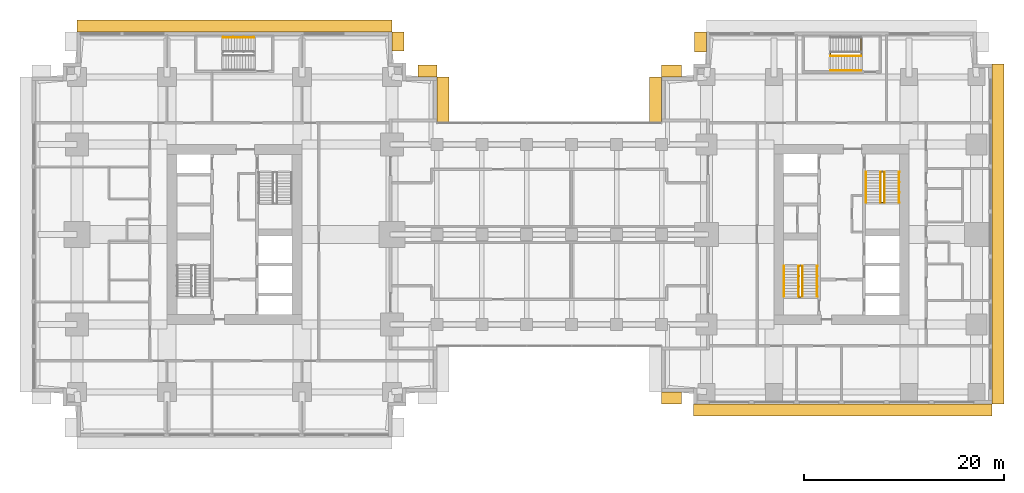
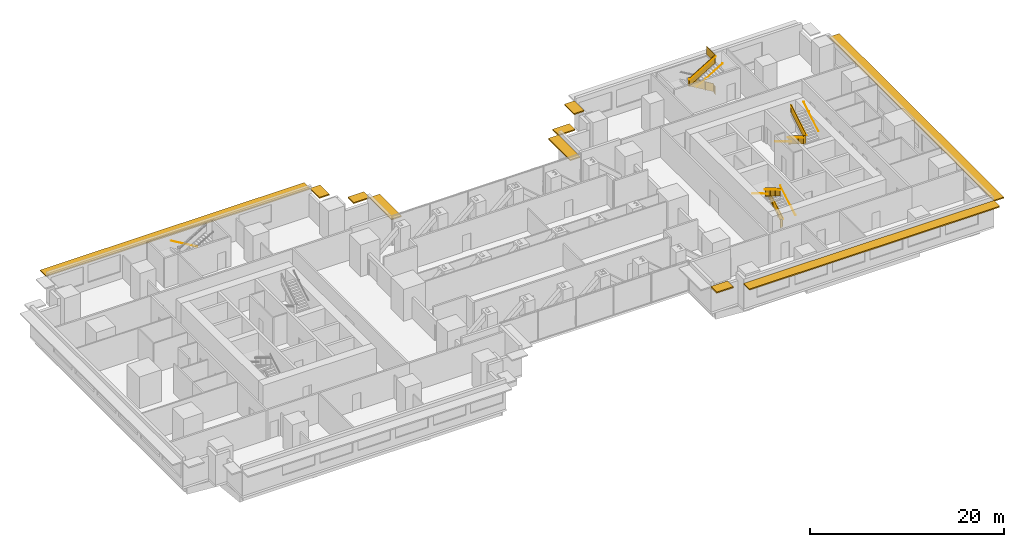
# One storey, part 15 of 16: 14 railings, 10 shading devices.
"""IFC4 building model written with IfcOpenShell, lengths in metres."""

from ifc_helpers import new_model, si_unit, direction, frame, origin, origin_2d, place, context, subcontext, project, spatial, polyline, rectangle, circle, outline, extrude, material, layer, layer_set, type_object, element, save


model = new_model("IFC4")

# Units and contexts
model_context = context("Model", 3, precision=1e-05, world=origin(), true_north=direction((0.0, 1.0)))
body_context = subcontext(model_context, "Body", "Model", "MODEL_VIEW")
ifc_project = project(units=[si_unit("LENGTHUNIT", "METRE"), si_unit("AREAUNIT", "SQUARE_METRE"), si_unit("VOLUMEUNIT", "CUBIC_METRE"), si_unit("PLANEANGLEUNIT", "RADIAN"), si_unit("MASSUNIT", "GRAM", prefix="KILO")], contexts=[model_context])

# Site, building, storey
site_placement = place(None, origin())
site = spatial("IfcSite", under=ifc_project, at=site_placement, CompositionType="ELEMENT")
building_placement = place(site_placement, origin())
building = spatial("IfcBuilding", under=site, at=building_placement, Name="Namib Vertical Campus", CompositionType="ELEMENT")
storey_placement = place(building_placement, frame((0.0, 0.0, 129.0)))
storey = spatial("IfcBuildingStorey", under=building, at=storey_placement, Name="L30", CompositionType="ELEMENT", Elevation=129.0)

# Railings
ifc_material_1 = material(Name="Steel handrail", Category="steel")
railing_type_1 = type_object("IfcRailingType", Name="Handrail 900", PredefinedType="HANDRAIL", material=ifc_material_1)
railing_1_placement = place(storey_placement, frame((78.550048828125, 14.0, 0.166748046875)))
element("IfcRailing", 1, at=railing_1_placement, inside=storey, type_object=railing_type_1, Name="Handrail HR1 B-S1 L30 1", PredefinedType="HANDRAIL", context=body_context, shape_type="SweptSolid", body=[
    extrude(circle(Radius=0.02392578125, at=origin_2d()), frame((0.0, 0.0, 0.8759765625), z_axis=(0.0, 0.859308565015, 0.511457515432), x_axis=(-1.0, 0.0, 0.0)), (0.0, 0.0, 1.0), 3.58447265625),
    extrude(circle(Radius=0.008056640625, at=origin_2d()), frame((0.0, 0.0, 0.8759765625), z_axis=(1.0, 0.0, 0.0), x_axis=(0.0, 0.0, 1.0)), (0.0, 0.0, 1.0), 0.050048828125),
    extrude(circle(Radius=0.008056640625, at=origin_2d()), frame((0.0, 1.026611328125, 1.48681640625), z_axis=(1.0, 0.0, 0.0), x_axis=(0.0, 0.0, 1.0)), (0.0, 0.0, 1.0), 0.050048828125),
    extrude(circle(Radius=0.008056640625, at=origin_2d()), frame((0.0, 2.053466796875, 2.09814453125), z_axis=(1.0, 0.0, 0.0), x_axis=(0.0, 0.0, 1.0)), (0.0, 0.0, 1.0), 0.050048828125),
    extrude(circle(Radius=0.008056640625, at=origin_2d()), frame((0.0, 3.080078125, 2.708984375), z_axis=(1.0, 0.0, 0.0), x_axis=(0.0, 0.0, 1.0)), (0.0, 0.0, 1.0), 0.050048828125),
])
railing_2_placement = place(storey_placement, frame((75.25, 17.080078125, 2.166748046875)))
element("IfcRailing", 2, at=railing_2_placement, inside=storey, type_object=railing_type_1, Name="Handrail HR1 B-S1 L30 2", PredefinedType="HANDRAIL", context=body_context, shape_type="SweptSolid", body=[
    extrude(circle(Radius=0.02392578125, at=origin_2d()), frame((0.0, 0.0, 0.8759765625), z_axis=(0.0, -0.859308565015, 0.511457515432), x_axis=(1.0, 0.0, 0.0)), (0.0, 0.0, 1.0), 3.58447265625),
    extrude(circle(Radius=0.008056640625, at=origin_2d()), frame((0.0, 0.0, 0.8759765625), z_axis=(-1.0, 0.0, 0.0), x_axis=(0.0, 0.0, 1.0)), (0.0, 0.0, 1.0), 0.050048828125),
    extrude(circle(Radius=0.008056640625, at=origin_2d()), frame((0.0, -1.026611328125, 1.48681640625), z_axis=(-1.0, 0.0, 0.0), x_axis=(0.0, 0.0, 1.0)), (0.0, 0.0, 1.0), 0.050048828125),
    extrude(circle(Radius=0.008056640625, at=origin_2d()), frame((0.0, -2.053466796875, 2.09814453125), z_axis=(-1.0, 0.0, 0.0), x_axis=(0.0, 0.0, 1.0)), (0.0, 0.0, 1.0), 0.050048828125),
    extrude(circle(Radius=0.008056640625, at=origin_2d()), frame((0.0, -3.080078125, 2.708984375), z_axis=(-1.0, 0.0, 0.0), x_axis=(0.0, 0.0, 1.0)), (0.0, 0.0, 1.0), 0.050048828125),
])
railing_3_placement = place(storey_placement, frame((77.10009765625, 14.0, 0.166748046875)))
element("IfcRailing", 3, at=railing_3_placement, inside=storey, type_object=railing_type_1, Name="Handrail HR1 B-S1 L30 1 at the well", PredefinedType="HANDRAIL", context=body_context, shape_type="SweptSolid", body=[
    extrude(circle(Radius=0.02392578125, at=origin_2d()), frame((0.0, 0.0, 0.8759765625), z_axis=(0.0, 0.859308565015, 0.511457515432), x_axis=(-1.0, 0.0, 0.0)), (0.0, 0.0, 1.0), 3.58447265625),
    extrude(circle(Radius=0.008056640625, at=origin_2d()), frame((0.0, 0.0, 0.8759765625), z_axis=(-1.0, 0.0, 0.0), x_axis=(0.0, 0.0, 1.0)), (0.0, 0.0, 1.0), 0.0400390625),
    extrude(circle(Radius=0.008056640625, at=origin_2d()), frame((0.0, 1.026611328125, 1.48681640625), z_axis=(-1.0, 0.0, 0.0), x_axis=(0.0, 0.0, 1.0)), (0.0, 0.0, 1.0), 0.0400390625),
    extrude(circle(Radius=0.008056640625, at=origin_2d()), frame((0.0, 2.053466796875, 2.09814453125), z_axis=(-1.0, 0.0, 0.0), x_axis=(0.0, 0.0, 1.0)), (0.0, 0.0, 1.0), 0.0400390625),
    extrude(circle(Radius=0.008056640625, at=origin_2d()), frame((0.0, 3.080078125, 2.708984375), z_axis=(-1.0, 0.0, 0.0), x_axis=(0.0, 0.0, 1.0)), (0.0, 0.0, 1.0), 0.0400390625),
])
railing_4_placement = place(storey_placement, frame((76.699951171875, 17.080078125, 2.166748046875)))
element("IfcRailing", 4, at=railing_4_placement, inside=storey, type_object=railing_type_1, Name="Handrail HR1 B-S1 L30 2 at the well", PredefinedType="HANDRAIL", context=body_context, shape_type="SweptSolid", body=[
    extrude(circle(Radius=0.02392578125, at=origin_2d()), frame((0.0, 0.0, 0.8759765625), z_axis=(0.0, -0.859308565015, 0.511457515432), x_axis=(1.0, 0.0, 0.0)), (0.0, 0.0, 1.0), 3.58447265625),
    extrude(circle(Radius=0.008056640625, at=origin_2d()), frame((0.0, 0.0, 0.8759765625), z_axis=(1.0, 0.0, 0.0), x_axis=(0.0, 0.0, 1.0)), (0.0, 0.0, 1.0), 0.0400390625),
    extrude(circle(Radius=0.008056640625, at=origin_2d()), frame((0.0, -1.026611328125, 1.48681640625), z_axis=(1.0, 0.0, 0.0), x_axis=(0.0, 0.0, 1.0)), (0.0, 0.0, 1.0), 0.0400390625),
    extrude(circle(Radius=0.008056640625, at=origin_2d()), frame((0.0, -2.053466796875, 2.09814453125), z_axis=(1.0, 0.0, 0.0), x_axis=(0.0, 0.0, 1.0)), (0.0, 0.0, 1.0), 0.0400390625),
    extrude(circle(Radius=0.008056640625, at=origin_2d()), frame((0.0, -3.080078125, 2.708984375), z_axis=(1.0, 0.0, 0.0), x_axis=(0.0, 0.0, 1.0)), (0.0, 0.0, 1.0), 0.0400390625),
])
railing_5_placement = place(storey_placement, frame((83.449951171875, 26.5, 0.166748046875)))
element("IfcRailing", 5, at=railing_5_placement, inside=storey, type_object=railing_type_1, Name="Handrail HR1 B-S2 L30 1", PredefinedType="HANDRAIL", context=body_context, shape_type="SweptSolid", body=[
    extrude(circle(Radius=0.02392578125, at=origin_2d()), frame((0.0, 0.0, 0.8759765625), z_axis=(0.0, -0.859308565015, 0.511457515432), x_axis=(1.0, 0.0, 0.0)), (0.0, 0.0, 1.0), 3.58447265625),
    extrude(circle(Radius=0.008056640625, at=origin_2d()), frame((0.0, 0.0, 0.8759765625), z_axis=(-1.0, 0.0, 0.0), x_axis=(0.0, 0.0, 1.0)), (0.0, 0.0, 1.0), 0.050048828125),
    extrude(circle(Radius=0.008056640625, at=origin_2d()), frame((0.0, -1.026611328125, 1.48681640625), z_axis=(-1.0, 0.0, 0.0), x_axis=(0.0, 0.0, 1.0)), (0.0, 0.0, 1.0), 0.050048828125),
    extrude(circle(Radius=0.008056640625, at=origin_2d()), frame((0.0, -2.053466796875, 2.09814453125), z_axis=(-1.0, 0.0, 0.0), x_axis=(0.0, 0.0, 1.0)), (0.0, 0.0, 1.0), 0.050048828125),
    extrude(circle(Radius=0.008056640625, at=origin_2d()), frame((0.0, -3.080078125, 2.708984375), z_axis=(-1.0, 0.0, 0.0), x_axis=(0.0, 0.0, 1.0)), (0.0, 0.0, 1.0), 0.050048828125),
])
railing_6_placement = place(storey_placement, frame((86.75, 23.419921875, 2.166748046875)))
element("IfcRailing", 6, at=railing_6_placement, inside=storey, type_object=railing_type_1, Name="Handrail HR1 B-S2 L30 2", PredefinedType="HANDRAIL", context=body_context, shape_type="SweptSolid", body=[
    extrude(circle(Radius=0.02392578125, at=origin_2d()), frame((0.0, 0.0, 0.8759765625), z_axis=(0.0, 0.859308565015, 0.511457515432), x_axis=(-1.0, 0.0, 0.0)), (0.0, 0.0, 1.0), 3.58447265625),
    extrude(circle(Radius=0.008056640625, at=origin_2d()), frame((0.0, 0.0, 0.8759765625), z_axis=(1.0, 0.0, 0.0), x_axis=(0.0, 0.0, 1.0)), (0.0, 0.0, 1.0), 0.050048828125),
    extrude(circle(Radius=0.008056640625, at=origin_2d()), frame((0.0, 1.026611328125, 1.48681640625), z_axis=(1.0, 0.0, 0.0), x_axis=(0.0, 0.0, 1.0)), (0.0, 0.0, 1.0), 0.050048828125),
    extrude(circle(Radius=0.008056640625, at=origin_2d()), frame((0.0, 2.053466796875, 2.09814453125), z_axis=(1.0, 0.0, 0.0), x_axis=(0.0, 0.0, 1.0)), (0.0, 0.0, 1.0), 0.050048828125),
    extrude(circle(Radius=0.008056640625, at=origin_2d()), frame((0.0, 3.080078125, 2.708984375), z_axis=(1.0, 0.0, 0.0), x_axis=(0.0, 0.0, 1.0)), (0.0, 0.0, 1.0), 0.050048828125),
])
railing_7_placement = place(storey_placement, frame((84.89990234375, 26.5, 0.166748046875)))
element("IfcRailing", 7, at=railing_7_placement, inside=storey, type_object=railing_type_1, Name="Handrail HR1 B-S2 L30 1 at the well", PredefinedType="HANDRAIL", context=body_context, shape_type="SweptSolid", body=[
    extrude(circle(Radius=0.02392578125, at=origin_2d()), frame((0.0, 0.0, 0.8759765625), z_axis=(0.0, -0.859308565015, 0.511457515432), x_axis=(1.0, 0.0, 0.0)), (0.0, 0.0, 1.0), 3.58447265625),
    extrude(circle(Radius=0.008056640625, at=origin_2d()), frame((0.0, 0.0, 0.8759765625), z_axis=(1.0, 0.0, 0.0), x_axis=(0.0, 0.0, 1.0)), (0.0, 0.0, 1.0), 0.0400390625),
    extrude(circle(Radius=0.008056640625, at=origin_2d()), frame((0.0, -1.026611328125, 1.48681640625), z_axis=(1.0, 0.0, 0.0), x_axis=(0.0, 0.0, 1.0)), (0.0, 0.0, 1.0), 0.0400390625),
    extrude(circle(Radius=0.008056640625, at=origin_2d()), frame((0.0, -2.053466796875, 2.09814453125), z_axis=(1.0, 0.0, 0.0), x_axis=(0.0, 0.0, 1.0)), (0.0, 0.0, 1.0), 0.0400390625),
    extrude(circle(Radius=0.008056640625, at=origin_2d()), frame((0.0, -3.080078125, 2.708984375), z_axis=(1.0, 0.0, 0.0), x_axis=(0.0, 0.0, 1.0)), (0.0, 0.0, 1.0), 0.0400390625),
])
railing_8_placement = place(storey_placement, frame((85.300048828125, 23.419921875, 2.166748046875)))
element("IfcRailing", 8, at=railing_8_placement, inside=storey, type_object=railing_type_1, Name="Handrail HR1 B-S2 L30 2 at the well", PredefinedType="HANDRAIL", context=body_context, shape_type="SweptSolid", body=[
    extrude(circle(Radius=0.02392578125, at=origin_2d()), frame((0.0, 0.0, 0.8759765625), z_axis=(0.0, 0.859308565015, 0.511457515432), x_axis=(-1.0, 0.0, 0.0)), (0.0, 0.0, 1.0), 3.58447265625),
    extrude(circle(Radius=0.008056640625, at=origin_2d()), frame((0.0, 0.0, 0.8759765625), z_axis=(-1.0, 0.0, 0.0), x_axis=(0.0, 0.0, 1.0)), (0.0, 0.0, 1.0), 0.0400390625),
    extrude(circle(Radius=0.008056640625, at=origin_2d()), frame((0.0, 1.026611328125, 1.48681640625), z_axis=(-1.0, 0.0, 0.0), x_axis=(0.0, 0.0, 1.0)), (0.0, 0.0, 1.0), 0.0400390625),
    extrude(circle(Radius=0.008056640625, at=origin_2d()), frame((0.0, 2.053466796875, 2.09814453125), z_axis=(-1.0, 0.0, 0.0), x_axis=(0.0, 0.0, 1.0)), (0.0, 0.0, 1.0), 0.0400390625),
    extrude(circle(Radius=0.008056640625, at=origin_2d()), frame((0.0, 3.080078125, 2.708984375), z_axis=(-1.0, 0.0, 0.0), x_axis=(0.0, 0.0, 1.0)), (0.0, 0.0, 1.0), 0.0400390625),
])
railing_9_placement = place(storey_placement, frame((22.199951171875, 39.949951171875, 0.166748046875)))
element("IfcRailing", 9, at=railing_9_placement, inside=storey, type_object=railing_type_1, Name="Handrail HR1 A-S3 L30 1", PredefinedType="HANDRAIL", context=body_context, shape_type="SweptSolid", body=[
    extrude(circle(Radius=0.02392578125, at=origin_2d()), frame((0.0, 0.0, 0.8759765625), z_axis=(-0.859290745958, 0.0, 0.51148745235), x_axis=(0.0, -1.0, 0.0)), (0.0, 0.0, 1.0), 3.584228515625),
    extrude(circle(Radius=0.008056640625, at=origin_2d()), frame((0.0, 0.0, 0.8759765625), z_axis=(0.0, 1.0, 0.0), x_axis=(0.0, 0.0, 1.0)), (0.0, 0.0, 1.0), 0.050048828125),
    extrude(circle(Radius=0.008056640625, at=origin_2d()), frame((-1.026611328125, 0.0, 1.48681640625), z_axis=(0.0, 1.0, 0.0), x_axis=(0.0, 0.0, 1.0)), (0.0, 0.0, 1.0), 0.050048828125),
    extrude(circle(Radius=0.008056640625, at=origin_2d()), frame((-2.05322265625, 0.0, 2.09814453125), z_axis=(0.0, 1.0, 0.0), x_axis=(0.0, 0.0, 1.0)), (0.0, 0.0, 1.0), 0.050048828125),
    extrude(circle(Radius=0.008056640625, at=origin_2d()), frame((-3.079833984375, 0.0, 2.708984375), z_axis=(0.0, 1.0, 0.0), x_axis=(0.0, 0.0, 1.0)), (0.0, 0.0, 1.0), 0.050048828125),
])
railing_10_placement = place(storey_placement, frame((79.8701171875, 36.64990234375, 2.166748046875)))
element("IfcRailing", 10, at=railing_10_placement, inside=storey, type_object=railing_type_1, Name="Handrail HR1 B-S3 L30 2", PredefinedType="HANDRAIL", context=body_context, shape_type="SweptSolid", body=[
    extrude(circle(Radius=0.02392578125, at=origin_2d()), frame((0.0, 0.0, 0.8759765625), z_axis=(0.859290745958, 0.0, 0.51148745235), x_axis=(0.0, 1.0, 0.0)), (0.0, 0.0, 1.0), 3.584228515625),
    extrude(circle(Radius=0.008056640625, at=origin_2d()), frame((0.0, 0.0, 0.8759765625), z_axis=(0.0, -1.0, 0.0), x_axis=(0.0, 0.0, 1.0)), (0.0, 0.0, 1.0), 0.050048828125),
    extrude(circle(Radius=0.008056640625, at=origin_2d()), frame((1.026611328125, 0.0, 1.48681640625), z_axis=(0.0, -1.0, 0.0), x_axis=(0.0, 0.0, 1.0)), (0.0, 0.0, 1.0), 0.050048828125),
    extrude(circle(Radius=0.008056640625, at=origin_2d()), frame((2.05322265625, 0.0, 2.09814453125), z_axis=(0.0, -1.0, 0.0), x_axis=(0.0, 0.0, 1.0)), (0.0, 0.0, 1.0), 0.050048828125),
    extrude(circle(Radius=0.008056640625, at=origin_2d()), frame((3.079833984375, 0.0, 2.708984375), z_axis=(0.0, -1.0, 0.0), x_axis=(0.0, 0.0, 1.0)), (0.0, 0.0, 1.0), 0.050048828125),
])
railing_11_placement = place(storey_placement, frame((79.8701171875, 38.10009765625, 2.166748046875)))
element("IfcRailing", 11, at=railing_11_placement, inside=storey, type_object=railing_type_1, Name="Handrail HR1 B-S3 L30 2 at the well", PredefinedType="HANDRAIL", context=body_context, shape_type="SweptSolid", body=[
    extrude(circle(Radius=0.02392578125, at=origin_2d()), frame((0.0, 0.0, 0.8759765625), z_axis=(0.859290745958, 0.0, 0.51148745235), x_axis=(0.0, 1.0, 0.0)), (0.0, 0.0, 1.0), 3.584228515625),
    extrude(circle(Radius=0.008056640625, at=origin_2d()), frame((0.0, 0.0, 0.8759765625), z_axis=(0.0, 1.0, 0.0), x_axis=(0.0, 0.0, 1.0)), (0.0, 0.0, 1.0), 0.0400390625),
    extrude(circle(Radius=0.008056640625, at=origin_2d()), frame((1.026611328125, 0.0, 1.48681640625), z_axis=(0.0, 1.0, 0.0), x_axis=(0.0, 0.0, 1.0)), (0.0, 0.0, 1.0), 0.0400390625),
    extrude(circle(Radius=0.008056640625, at=origin_2d()), frame((2.05322265625, 0.0, 2.09814453125), z_axis=(0.0, 1.0, 0.0), x_axis=(0.0, 0.0, 1.0)), (0.0, 0.0, 1.0), 0.0400390625),
    extrude(circle(Radius=0.008056640625, at=origin_2d()), frame((3.079833984375, 0.0, 2.708984375), z_axis=(0.0, 1.0, 0.0), x_axis=(0.0, 0.0, 1.0)), (0.0, 0.0, 1.0), 0.0400390625),
])
ifc_material_2 = material(Name="Steel balustrade", Category="steel")
railing_type_2 = type_object("IfcRailingType", Name="Stair guard 1100", PredefinedType="GUARDRAIL", material=ifc_material_2)
railing_12_placement = place(storey_placement, frame((76.75, 14.0, 0.0)))
element("IfcRailing", 12, at=railing_12_placement, inside=storey, type_object=railing_type_2, Name="Stair guard GR1 B-S1 L30", PredefinedType="GUARDRAIL", context=body_context, shape_type="SweptSolid", body=[
    extrude(circle(Radius=0.02392578125, at=origin_2d()), frame((0.0, 0.0, 1.076171875), z_axis=(1.0, 0.0, 0.0), x_axis=(0.0, 1.0, 0.0)), (0.0, 0.0, 1.0), 0.300048828125),
    extrude(outline(polyline([(0.02099609375, 0.050048828125), (0.279052734375, 0.050048828125), (0.279052734375, 1.052001953125), (0.02099609375, 1.052001953125), (0.02099609375, 0.050048828125)])), frame((0.0, 0.010009765625, 0.0), z_axis=(0.0, -1.0, 0.0), x_axis=(1.0, 0.0, 0.0)), (0.0, 0.0, 1.0), 0.02001953125),
    extrude(circle(Radius=0.02392578125, at=origin_2d()), frame((0.300048828125, 0.0, 1.076171875), z_axis=(0.0, 0.0, 1.0), x_axis=(1.0, 0.0, 0.0)), (0.0, 0.0, 1.0), 0.166748046875),
    extrude(circle(Radius=0.02392578125, at=origin_2d()), frame((0.300048828125, 0.0, 1.24267578125), z_axis=(0.0, 0.859308565015, 0.511457515432), x_axis=(-1.0, 0.0, 0.0)), (0.0, 0.0, 1.0), 3.58447265625),
    extrude(outline(polyline([(0.02099609375, 0.0625), (3.05908203125, 1.870849609375), (3.05908203125, 2.872802734375), (0.02099609375, 1.064453125), (0.02099609375, 0.0625)])), frame((0.2900390625, 0.0, 0.166748046875), z_axis=(1.0, 0.0, 0.0), x_axis=(0.0, 1.0, 0.0)), (0.0, 0.0, 1.0), 0.02001953125),
    extrude(circle(Radius=0.02392578125, at=origin_2d()), frame((0.300048828125, 3.080078125, 3.076171875), z_axis=(-1.0, 0.0, 0.0), x_axis=(0.0, -1.0, 0.0)), (0.0, 0.0, 1.0), 0.300048828125),
    extrude(outline(polyline([(0.02099609375, 0.050048828125), (0.279052734375, 0.050048828125), (0.279052734375, 1.052001953125), (0.02099609375, 1.052001953125), (0.02099609375, 0.050048828125)])), frame((0.300048828125, 3.070068359375, 2.0), z_axis=(0.0, 1.0, 0.0), x_axis=(-1.0, 0.0, 0.0)), (0.0, 0.0, 1.0), 0.02001953125),
    extrude(circle(Radius=0.02392578125, at=origin_2d()), frame((0.0, 3.080078125, 3.076171875), z_axis=(0.0, 0.0, 1.0), x_axis=(1.0, 0.0, 0.0)), (0.0, 0.0, 1.0), 0.166748046875),
    extrude(circle(Radius=0.02392578125, at=origin_2d()), frame((0.0, 3.080078125, 3.24267578125), z_axis=(0.0, -0.859308565015, 0.511457515432), x_axis=(1.0, 0.0, 0.0)), (0.0, 0.0, 1.0), 3.58447265625),
    extrude(outline(polyline([(0.02099609375, 0.0625), (3.05908203125, 1.870849609375), (3.05908203125, 2.872802734375), (0.02099609375, 1.064453125), (0.02099609375, 0.0625)])), frame((0.010009765625, 3.080078125, 2.166748046875), z_axis=(-1.0, 0.0, 0.0), x_axis=(0.0, -1.0, 0.0)), (0.0, 0.0, 1.0), 0.02001953125),
    extrude(circle(Radius=0.02392578125, at=origin_2d()), frame((0.0, 0.0, 5.076171875), z_axis=(0.0, -1.0, 0.0), x_axis=(1.0, 0.0, 0.0)), (0.0, 0.0, 1.0), 0.050048828125),
    extrude(outline(polyline([(0.02099609375, 0.050048828125), (0.029052734375, 0.050048828125), (0.029052734375, 1.052001953125), (0.02099609375, 1.052001953125), (0.02099609375, 0.050048828125)])), frame((0.010009765625, 0.0, 4.0), z_axis=(-1.0, 0.0, 0.0), x_axis=(0.0, -1.0, 0.0)), (0.0, 0.0, 1.0), 0.02001953125),
    extrude(circle(Radius=0.02099609375, at=origin_2d()), origin(), (0.0, 0.0, 1.0), 1.052001953125),
    extrude(circle(Radius=0.02099609375, at=origin_2d()), frame((0.300048828125, 0.0, 0.166748046875)), (0.0, 0.0, 1.0), 1.052001953125),
    extrude(circle(Radius=0.02099609375, at=origin_2d()), frame((0.300048828125, 1.026611328125, 0.666748046875)), (0.0, 0.0, 1.0), 1.1630859375),
    extrude(circle(Radius=0.02099609375, at=origin_2d()), frame((0.300048828125, 2.053466796875, 1.33349609375)), (0.0, 0.0, 1.0), 1.107421875),
    extrude(circle(Radius=0.02099609375, at=origin_2d()), frame((0.300048828125, 3.080078125, 2.0)), (0.0, 0.0, 1.0), 1.052001953125),
    extrude(circle(Radius=0.02099609375, at=origin_2d()), frame((0.0, 3.080078125, 2.166748046875)), (0.0, 0.0, 1.0), 1.052001953125),
    extrude(circle(Radius=0.02099609375, at=origin_2d()), frame((0.0, 2.053466796875, 2.666748046875)), (0.0, 0.0, 1.0), 1.1630859375),
    extrude(circle(Radius=0.02099609375, at=origin_2d()), frame((0.0, 1.026611328125, 3.33349609375)), (0.0, 0.0, 1.0), 1.107421875),
    extrude(circle(Radius=0.02099609375, at=origin_2d()), frame((0.0, 0.0, 4.0)), (0.0, 0.0, 1.0), 1.052001953125),
    extrude(circle(Radius=0.02099609375, at=origin_2d()), frame((0.0, -0.050048828125, 4.0)), (0.0, 0.0, 1.0), 1.052001953125),
])
railing_13_placement = place(storey_placement, frame((85.25, 26.5, 0.0)))
element("IfcRailing", 13, at=railing_13_placement, inside=storey, type_object=railing_type_2, Name="Stair guard GR1 B-S2 L30", PredefinedType="GUARDRAIL", context=body_context, shape_type="SweptSolid", body=[
    extrude(circle(Radius=0.02392578125, at=origin_2d()), frame((0.0, 0.0, 1.076171875), z_axis=(-1.0, 0.0, 0.0), x_axis=(0.0, -1.0, 0.0)), (0.0, 0.0, 1.0), 0.300048828125),
    extrude(outline(polyline([(0.02099609375, 0.050048828125), (0.279052734375, 0.050048828125), (0.279052734375, 1.052001953125), (0.02099609375, 1.052001953125), (0.02099609375, 0.050048828125)])), frame((0.0, -0.010009765625, 0.0), z_axis=(0.0, 1.0, 0.0), x_axis=(-1.0, 0.0, 0.0)), (0.0, 0.0, 1.0), 0.02001953125),
    extrude(circle(Radius=0.02392578125, at=origin_2d()), frame((-0.300048828125, 0.0, 1.076171875), z_axis=(0.0, 0.0, 1.0), x_axis=(1.0, 0.0, 0.0)), (0.0, 0.0, 1.0), 0.166748046875),
    extrude(circle(Radius=0.02392578125, at=origin_2d()), frame((-0.300048828125, 0.0, 1.24267578125), z_axis=(0.0, -0.859308565015, 0.511457515432), x_axis=(1.0, 0.0, 0.0)), (0.0, 0.0, 1.0), 3.58447265625),
    extrude(outline(polyline([(0.02099609375, 0.0625), (3.05908203125, 1.870849609375), (3.05908203125, 2.872802734375), (0.02099609375, 1.064453125), (0.02099609375, 0.0625)])), frame((-0.2900390625, 0.0, 0.166748046875), z_axis=(-1.0, 0.0, 0.0), x_axis=(0.0, -1.0, 0.0)), (0.0, 0.0, 1.0), 0.02001953125),
    extrude(circle(Radius=0.02392578125, at=origin_2d()), frame((-0.300048828125, -3.080078125, 3.076171875), z_axis=(1.0, 0.0, 0.0), x_axis=(0.0, 1.0, 0.0)), (0.0, 0.0, 1.0), 0.300048828125),
    extrude(outline(polyline([(0.02099609375, 0.050048828125), (0.279052734375, 0.050048828125), (0.279052734375, 1.052001953125), (0.02099609375, 1.052001953125), (0.02099609375, 0.050048828125)])), frame((-0.300048828125, -3.070068359375, 2.0), z_axis=(0.0, -1.0, 0.0), x_axis=(1.0, 0.0, 0.0)), (0.0, 0.0, 1.0), 0.02001953125),
    extrude(circle(Radius=0.02392578125, at=origin_2d()), frame((0.0, -3.080078125, 3.076171875), z_axis=(0.0, 0.0, 1.0), x_axis=(1.0, 0.0, 0.0)), (0.0, 0.0, 1.0), 0.166748046875),
    extrude(circle(Radius=0.02392578125, at=origin_2d()), frame((0.0, -3.080078125, 3.24267578125), z_axis=(0.0, 0.859308565015, 0.511457515432), x_axis=(-1.0, 0.0, 0.0)), (0.0, 0.0, 1.0), 3.58447265625),
    extrude(outline(polyline([(0.02099609375, 0.0625), (3.05908203125, 1.870849609375), (3.05908203125, 2.872802734375), (0.02099609375, 1.064453125), (0.02099609375, 0.0625)])), frame((-0.010009765625, -3.080078125, 2.166748046875), z_axis=(1.0, 0.0, 0.0), x_axis=(0.0, 1.0, 0.0)), (0.0, 0.0, 1.0), 0.02001953125),
    extrude(circle(Radius=0.02392578125, at=origin_2d()), frame((0.0, 0.0, 5.076171875), z_axis=(0.0, 1.0, 0.0), x_axis=(-1.0, 0.0, 0.0)), (0.0, 0.0, 1.0), 0.050048828125),
    extrude(outline(polyline([(0.02099609375, 0.050048828125), (0.029052734375, 0.050048828125), (0.029052734375, 1.052001953125), (0.02099609375, 1.052001953125), (0.02099609375, 0.050048828125)])), frame((-0.010009765625, 0.0, 4.0), z_axis=(1.0, 0.0, 0.0), x_axis=(0.0, 1.0, 0.0)), (0.0, 0.0, 1.0), 0.02001953125),
    extrude(circle(Radius=0.02099609375, at=origin_2d()), origin(), (0.0, 0.0, 1.0), 1.052001953125),
    extrude(circle(Radius=0.02099609375, at=origin_2d()), frame((-0.300048828125, 0.0, 0.166748046875)), (0.0, 0.0, 1.0), 1.052001953125),
    extrude(circle(Radius=0.02099609375, at=origin_2d()), frame((-0.300048828125, -1.026611328125, 0.666748046875)), (0.0, 0.0, 1.0), 1.1630859375),
    extrude(circle(Radius=0.02099609375, at=origin_2d()), frame((-0.300048828125, -2.053466796875, 1.33349609375)), (0.0, 0.0, 1.0), 1.107421875),
    extrude(circle(Radius=0.02099609375, at=origin_2d()), frame((-0.300048828125, -3.080078125, 2.0)), (0.0, 0.0, 1.0), 1.052001953125),
    extrude(circle(Radius=0.02099609375, at=origin_2d()), frame((0.0, -3.080078125, 2.166748046875)), (0.0, 0.0, 1.0), 1.052001953125),
    extrude(circle(Radius=0.02099609375, at=origin_2d()), frame((0.0, -2.053466796875, 2.666748046875)), (0.0, 0.0, 1.0), 1.1630859375),
    extrude(circle(Radius=0.02099609375, at=origin_2d()), frame((0.0, -1.026611328125, 3.33349609375)), (0.0, 0.0, 1.0), 1.107421875),
    extrude(circle(Radius=0.02099609375, at=origin_2d()), frame((0.0, 0.0, 4.0)), (0.0, 0.0, 1.0), 1.052001953125),
    extrude(circle(Radius=0.02099609375, at=origin_2d()), frame((0.0, 0.050048828125, 4.0)), (0.0, 0.0, 1.0), 1.052001953125),
])
railing_14_placement = place(storey_placement, frame((82.949951171875, 38.14990234375, 0.0)))
element("IfcRailing", 14, at=railing_14_placement, inside=storey, type_object=railing_type_2, Name="Stair guard GR1 B-S3 L30", PredefinedType="GUARDRAIL", context=body_context, shape_type="SweptSolid", body=[
    extrude(circle(Radius=0.02392578125, at=origin_2d()), frame((0.0, 0.0, 1.076171875), z_axis=(0.0, 1.0, 0.0), x_axis=(-1.0, 0.0, 0.0)), (0.0, 0.0, 1.0), 0.300048828125),
    extrude(outline(polyline([(0.02099609375, 0.050048828125), (0.279052734375, 0.050048828125), (0.279052734375, 1.052001953125), (0.02099609375, 1.052001953125), (0.02099609375, 0.050048828125)])), frame((-0.010009765625, 0.0, 0.0), z_axis=(1.0, 0.0, 0.0), x_axis=(0.0, 1.0, 0.0)), (0.0, 0.0, 1.0), 0.02001953125),
    extrude(circle(Radius=0.02392578125, at=origin_2d()), frame((0.0, 0.300048828125, 1.076171875), z_axis=(0.0, 0.0, 1.0), x_axis=(1.0, 0.0, 0.0)), (0.0, 0.0, 1.0), 0.166748046875),
    extrude(circle(Radius=0.02392578125, at=origin_2d()), frame((0.0, 0.300048828125, 1.24267578125), z_axis=(-0.859290745958, 0.0, 0.51148745235), x_axis=(0.0, -1.0, 0.0)), (0.0, 0.0, 1.0), 3.584228515625),
    extrude(outline(polyline([(0.02099609375, 0.0625), (3.058837890625, 1.870849609375), (3.058837890625, 2.872802734375), (0.02099609375, 1.064453125), (0.02099609375, 0.0625)])), frame((0.0, 0.2900390625, 0.166748046875), z_axis=(0.0, 1.0, 0.0), x_axis=(-1.0, 0.0, 0.0)), (0.0, 0.0, 1.0), 0.02001953125),
    extrude(circle(Radius=0.02392578125, at=origin_2d()), frame((-3.079833984375, 0.300048828125, 3.076171875), z_axis=(0.0, -1.0, 0.0), x_axis=(1.0, 0.0, 0.0)), (0.0, 0.0, 1.0), 0.300048828125),
    extrude(outline(polyline([(0.02099609375, 0.050048828125), (0.279052734375, 0.050048828125), (0.279052734375, 1.052001953125), (0.02099609375, 1.052001953125), (0.02099609375, 0.050048828125)])), frame((-3.06982421875, 0.300048828125, 2.0), z_axis=(-1.0, 0.0, 0.0), x_axis=(0.0, -1.0, 0.0)), (0.0, 0.0, 1.0), 0.02001953125),
    extrude(circle(Radius=0.02392578125, at=origin_2d()), frame((-3.079833984375, 0.0, 3.076171875), z_axis=(0.0, 0.0, 1.0), x_axis=(1.0, 0.0, 0.0)), (0.0, 0.0, 1.0), 0.166748046875),
    extrude(circle(Radius=0.02392578125, at=origin_2d()), frame((-3.079833984375, 0.0, 3.24267578125), z_axis=(0.859290745958, 0.0, 0.51148745235), x_axis=(0.0, 1.0, 0.0)), (0.0, 0.0, 1.0), 3.584228515625),
    extrude(outline(polyline([(0.02099609375, 0.0625), (3.058837890625, 1.870849609375), (3.058837890625, 2.872802734375), (0.02099609375, 1.064453125), (0.02099609375, 0.0625)])), frame((-3.079833984375, 0.010009765625, 2.166748046875), z_axis=(0.0, -1.0, 0.0), x_axis=(1.0, 0.0, 0.0)), (0.0, 0.0, 1.0), 0.02001953125),
    extrude(circle(Radius=0.02392578125, at=origin_2d()), frame((0.0, 0.0, 5.076171875), z_axis=(0.0, 1.0, 0.0), x_axis=(-1.0, 0.0, 0.0)), (0.0, 0.0, 1.0), 1.800048828125),
    extrude(outline(polyline([(0.02099609375, 0.050048828125), (1.779052734375, 0.050048828125), (1.779052734375, 1.052001953125), (0.02099609375, 1.052001953125), (0.02099609375, 0.050048828125)])), frame((-0.010009765625, 0.0, 4.0), z_axis=(1.0, 0.0, 0.0), x_axis=(0.0, 1.0, 0.0)), (0.0, 0.0, 1.0), 0.02001953125),
    extrude(circle(Radius=0.02099609375, at=origin_2d()), origin(), (0.0, 0.0, 1.0), 1.052001953125),
    extrude(circle(Radius=0.02099609375, at=origin_2d()), frame((0.0, 0.300048828125, 0.166748046875)), (0.0, 0.0, 1.0), 1.052001953125),
    extrude(circle(Radius=0.02099609375, at=origin_2d()), frame((-1.026611328125, 0.300048828125, 0.666748046875)), (0.0, 0.0, 1.0), 1.1630859375),
    extrude(circle(Radius=0.02099609375, at=origin_2d()), frame((-2.05322265625, 0.300048828125, 1.33349609375)), (0.0, 0.0, 1.0), 1.107421875),
    extrude(circle(Radius=0.02099609375, at=origin_2d()), frame((-3.079833984375, 0.300048828125, 2.0)), (0.0, 0.0, 1.0), 1.052001953125),
    extrude(circle(Radius=0.02099609375, at=origin_2d()), frame((-3.079833984375, 0.0, 2.166748046875)), (0.0, 0.0, 1.0), 1.052001953125),
    extrude(circle(Radius=0.02099609375, at=origin_2d()), frame((-2.05322265625, 0.0, 2.666748046875)), (0.0, 0.0, 1.0), 1.1630859375),
    extrude(circle(Radius=0.02099609375, at=origin_2d()), frame((-1.026611328125, 0.0, 3.33349609375)), (0.0, 0.0, 1.0), 1.107421875),
    extrude(circle(Radius=0.02099609375, at=origin_2d()), frame((0.0, 0.0, 4.0)), (0.0, 0.0, 1.0), 1.052001953125),
    extrude(circle(Radius=0.02099609375, at=origin_2d()), frame((0.0, 0.89990234375, 4.0)), (0.0, 0.0, 1.0), 1.052001953125),
    extrude(circle(Radius=0.02099609375, at=origin_2d()), frame((0.0, 1.800048828125, 4.0)), (0.0, 0.0, 1.0), 1.052001953125),
])

# Shading devices
ifc_material_3 = material(Name="Concrete C40/50 precast", Category="concrete")
ifc_layer = layer(ifc_material_3, 0.14990234375)
ifc_layer_set = layer_set([ifc_layer], Name="Concrete C40/50 precast")
shading_device_type = type_object("IfcShadingDeviceType", Name="Sunshade hood 1200", PredefinedType="SHUTTER", material=ifc_layer_set)
shading_device_1_placement = place(storey_placement, frame((41.10009765625, 33.75, 3.10009765625), z_axis=(0.0, 0.0, 1.0), x_axis=(0.0, 1.0, 0.0)))
element("IfcShadingDevice", 15, at=shading_device_1_placement, inside=storey, type_object=shading_device_type, Name="Sunshade SH2 L30 11", PredefinedType="SHUTTER", context=body_context, shape_type="SweptSolid", body=[
    extrude(rectangle(XDim=4.5, YDim=1.199951171875, at=origin_2d()), origin(), (0.0, 0.0, 1.0), 0.14990234375),
])
for number, where, z_axis, x_axis, name in (
    (16, (39.550048828125, 36.60009765625, 3.10009765625), (0.0, 0.0, 1.0), (-1.0, 0.0, 0.0), "Sunshade SH2 L30 12"),
    (17, (36.60009765625, 39.550048828125, 3.10009765625), (0.0, 0.0, 1.0), (0.0, 1.0, 0.0), "Sunshade SH2 L30 15"),
):
    element("IfcShadingDevice", number, at=place(storey_placement, frame(where, z_axis=z_axis, x_axis=x_axis)), inside=storey, type_object=shading_device_type, Name=name, PredefinedType="SHUTTER", context=body_context, shape_type="SweptSolid", body=[
        extrude(rectangle(XDim=1.89990234375, YDim=1.199951171875, at=origin_2d()), origin(), (0.0, 0.0, 1.0), 0.14990234375),
    ])
shading_device_2_placement = place(storey_placement, frame((20.25, 41.10009765625, 3.10009765625), z_axis=(0.0, 0.0, 1.0), x_axis=(-1.0, 0.0, 0.0)))
element("IfcShadingDevice", 18, at=shading_device_2_placement, inside=storey, type_object=shading_device_type, Name="Sunshade SH2 L30 16", PredefinedType="SHUTTER", context=body_context, shape_type="SweptSolid", body=[
    extrude(rectangle(XDim=31.5, YDim=1.199951171875, at=origin_2d()), origin(), (0.0, 0.0, 1.0), 0.14990234375),
])
shading_device_3_placement = place(storey_placement, frame((64.0, 3.89990234375, 3.10009765625), z_axis=(0.0, 0.0, 1.0), x_axis=(1.0, 0.0, 0.0)))
element("IfcShadingDevice", 19, at=shading_device_3_placement, inside=storey, type_object=shading_device_type, Name="Sunshade SH2 L30 2", PredefinedType="SHUTTER", context=body_context, shape_type="SweptSolid", body=[
    extrude(rectangle(XDim=2.0, YDim=1.199951171875, at=origin_2d()), origin(), (0.0, 0.0, 1.0), 0.14990234375),
])
shading_device_4_placement = place(storey_placement, frame((81.125, 2.699951171875, 3.10009765625), z_axis=(0.0, 0.0, 1.0), x_axis=(1.0, 0.0, 0.0)))
element("IfcShadingDevice", 20, at=shading_device_4_placement, inside=storey, type_object=shading_device_type, Name="Sunshade SH2 L30 4", PredefinedType="SHUTTER", context=body_context, shape_type="SweptSolid", body=[
    extrude(rectangle(XDim=29.85009765625, YDim=1.199951171875, at=origin_2d()), origin(), (0.0, 0.0, 1.0), 0.14990234375),
])
shading_device_5_placement = place(storey_placement, frame((96.64990234375, 20.300048828125, 3.10009765625), z_axis=(0.0, 0.0, 1.0), x_axis=(0.0, 1.0, 0.0)))
element("IfcShadingDevice", 21, at=shading_device_5_placement, inside=storey, type_object=shading_device_type, Name="Sunshade SH2 L30 5", PredefinedType="SHUTTER", context=body_context, shape_type="SweptSolid", body=[
    extrude(rectangle(XDim=34.0, YDim=1.199951171875, at=origin_2d()), origin(), (0.0, 0.0, 1.0), 0.14990234375),
])
for number, where, z_axis, x_axis, name in (
    (22, (66.89990234375, 39.5, 3.10009765625), (0.0, 0.0, 1.0), (0.0, -1.0, 0.0), "Sunshade SH2 L30 9"),
    (23, (64.0, 36.60009765625, 3.10009765625), (0.0, 0.0, 1.0), (-1.0, 0.0, 0.0), "Sunshade SH2 L30 12"),
):
    element("IfcShadingDevice", number, at=place(storey_placement, frame(where, z_axis=z_axis, x_axis=x_axis)), inside=storey, type_object=shading_device_type, Name=name, PredefinedType="SHUTTER", context=body_context, shape_type="SweptSolid", body=[
        extrude(rectangle(XDim=2.0, YDim=1.199951171875, at=origin_2d()), origin(), (0.0, 0.0, 1.0), 0.14990234375),
    ])
shading_device_6_placement = place(storey_placement, frame((62.39990234375, 33.75, 3.10009765625), z_axis=(0.0, 0.0, 1.0), x_axis=(0.0, -1.0, 0.0)))
element("IfcShadingDevice", 24, at=shading_device_6_placement, inside=storey, type_object=shading_device_type, Name="Sunshade SH2 L30 13", PredefinedType="SHUTTER", context=body_context, shape_type="SweptSolid", body=[
    extrude(rectangle(XDim=4.5, YDim=1.199951171875, at=origin_2d()), origin(), (0.0, 0.0, 1.0), 0.14990234375),
])

save(model, "model.ifc")
